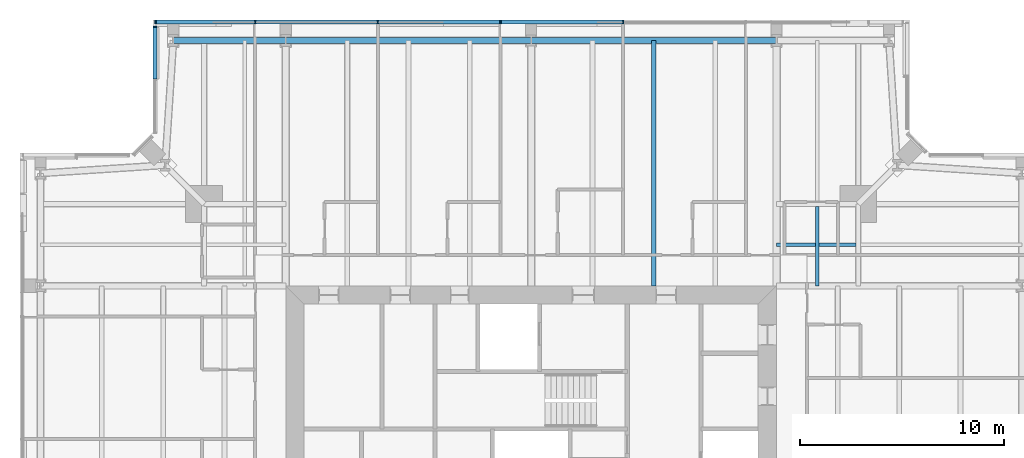
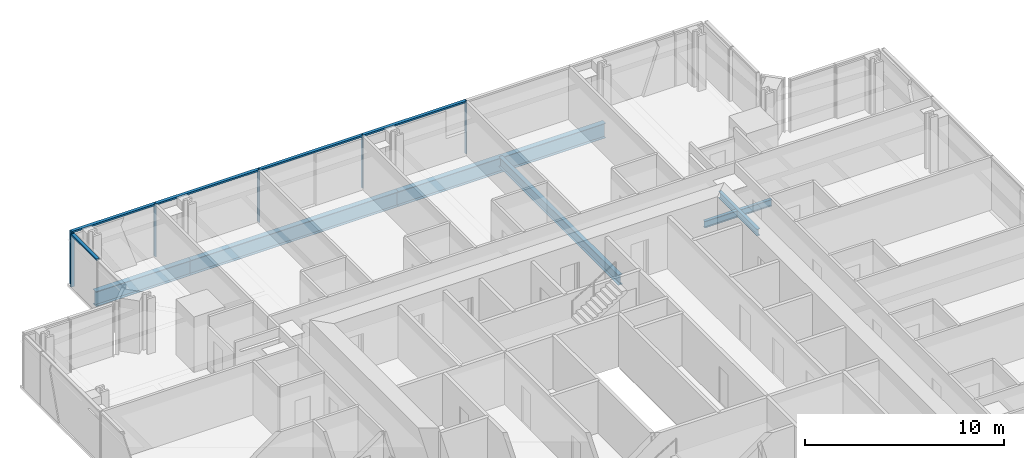
# One storey, part 8 of 20: 11 members, 7 beams, 2 elements without a shape of their own.
"""IFC4 building model written with IfcOpenShell, lengths in metres."""

from ifc_helpers import new_model, si_unit, direction, frame, origin, origin_2d, place, context, subcontext, project, spatial, rectangle, i_section, extrude, material, material_profile, profile_set, type_object, element, aggregate, save


model = new_model("IFC4")

# Units and contexts
model_context = context("Model", 3, precision=1e-05, world=origin(), true_north=direction((0.0, 1.0)))
body_context = subcontext(model_context, "Body", "Model", "MODEL_VIEW")
ifc_project = project(units=[si_unit("LENGTHUNIT", "METRE"), si_unit("AREAUNIT", "SQUARE_METRE"), si_unit("VOLUMEUNIT", "CUBIC_METRE"), si_unit("PLANEANGLEUNIT", "RADIAN"), si_unit("MASSUNIT", "GRAM", prefix="KILO")], contexts=[model_context])

# Site, building, storey
site_placement = place(None, origin())
site = spatial("IfcSite", under=ifc_project, at=site_placement, CompositionType="ELEMENT")
building_placement = place(site_placement, origin())
building = spatial("IfcBuilding", under=site, at=building_placement, Name="Fenwick Lantern Interchange", CompositionType="ELEMENT")
storey_placement = place(building_placement, frame((0.0, 0.0, 252.60009765625)))
storey = spatial("IfcBuildingStorey", under=building, at=storey_placement, Name="L59", CompositionType="ELEMENT", Elevation=252.60009765625)

# Beams
ifc_material_1 = material(Name="Steel ASTM A992 Grade 50", Category="steel")
ifc_material_profile_1 = material_profile(ifc_material_1, i_section(OverallWidth=0.3046875, OverallDepth=0.911865234375, WebThickness=0.015869140625, FlangeThickness=0.02392578125, at=origin_2d()), Name="W36X150")
ifc_profile_set_1 = profile_set([ifc_material_profile_1], Name="Steel ASTM A992 Grade 50")
beam_type_1 = type_object("IfcBeamType", Name="EDGE BEAM W36X150", PredefinedType="SPANDREL", material=ifc_profile_set_1)
for number, where, z_axis, x_axis, name in (
    (1, (37.0, 49.0, -0.60595703125), (-1.0, 0.0, 0.0), (0.0, -1.0, 0.0), "L59/FR/N/EB2"),
    (2, (25.0, 49.0, -0.60595703125), (-1.0, 0.0, 0.0), (0.0, -1.0, 0.0), "L59/FR/N/EB3"),
):
    element("IfcBeam", number, at=place(storey_placement, frame(where, z_axis=z_axis, x_axis=x_axis)), inside=storey, type_object=beam_type_1, Name=name, PredefinedType="SPANDREL", context=body_context, shape_type="SweptSolid", body=[
        extrude(i_section(OverallWidth=0.3046875, OverallDepth=0.911865234375, WebThickness=0.015869140625, FlangeThickness=0.02392578125, at=origin_2d()), origin(), (0.0, 0.0, 1.0), 12.0),
    ])
beam_1_placement = place(storey_placement, frame((13.0, 49.0, -0.60595703125), z_axis=(-1.0, 0.0, 0.0), x_axis=(0.0, -1.0, 0.0)))
element("IfcBeam", 3, at=beam_1_placement, inside=storey, type_object=beam_type_1, Name="L59/FR/N/EB4", PredefinedType="SPANDREL", context=body_context, shape_type="SweptSolid", body=[
    extrude(i_section(OverallWidth=0.3046875, OverallDepth=0.911865234375, WebThickness=0.015869140625, FlangeThickness=0.02392578125, at=origin_2d()), origin(), (0.0, 0.0, 1.0), 5.5),
])
ifc_material_profile_2 = material_profile(ifc_material_1, i_section(OverallWidth=0.22900390625, OverallDepth=0.612060546875, WebThickness=0.011962890625, FlangeThickness=0.01953125, at=origin_2d()), Name="W24X84")
ifc_profile_set_2 = profile_set([ifc_material_profile_2], Name="Steel ASTM A992 Grade 50")
beam_type_2 = type_object("IfcBeamType", Name="FLOOR BEAM W24X84", PredefinedType="BEAM", material=ifc_profile_set_2)
beam_2_placement = place(storey_placement, frame((31.0, 49.0, -0.4560546875), z_axis=(0.0, -1.0, 0.0), x_axis=(1.0, 0.0, 0.0)))
element("IfcBeam", 4, at=beam_2_placement, inside=storey, type_object=beam_type_2, Name="L59/FR/N/R03", PredefinedType="BEAM", context=body_context, shape_type="SweptSolid", body=[
    extrude(i_section(OverallWidth=0.22900390625, OverallDepth=0.612060546875, WebThickness=0.011962890625, FlangeThickness=0.01953125, at=origin_2d()), origin(), (0.0, 0.0, 1.0), 12.0),
])

# Curtain wall, members
ifc_material_2 = material(Name="Aluminium curtain wall frame", Category="aluminium")
curtain_wall_type = type_object("IfcCurtainWallType", Name="HOTEL CURTAIN WALL", PredefinedType="USERDEFINED", material=ifc_material_2)
curtain_wall_1_placement = place(storey_placement, origin())
curtain_wall_1 = element("IfcCurtainWall", 5, at=curtain_wall_1_placement, inside=storey, type_object=curtain_wall_type, Name="Hotel curtain wall 09", ObjectType="HOTEL CURTAIN WALL", PredefinedType="USERDEFINED")
ifc_material_3 = material(Name="Aluminium extrusion", Category="aluminium")
ifc_material_profile_3 = material_profile(ifc_material_3, rectangle(XDim=0.179931640625, YDim=0.06005859375, at=origin_2d()), Name="HOTEL CURTAIN WALL MULLION 60 X 180")
ifc_profile_set_3 = profile_set([ifc_material_profile_3], Name="Aluminium extrusion")
member_type_1 = type_object("IfcMemberType", Name="HOTEL CURTAIN WALL MULLION 60 X 180", PredefinedType="MULLION", material=ifc_profile_set_3)
member_1_placement = place(storey_placement, frame((29.5, 49.89990234375, 0.0), z_axis=(0.0, 0.0, 1.0), x_axis=(0.0, -1.0, 0.0)))
member_1 = element("IfcMember", 6, at=member_1_placement, type_object=member_type_1, Name="L59/CW/09/M03", PredefinedType="MULLION", context=body_context, shape_type="SweptSolid", body=[
    extrude(rectangle(XDim=0.179931640625, YDim=0.06005859375, at=origin_2d()), origin(), (0.0, 0.0, 1.0), 3.25),
])
member_2_placement = place(storey_placement, frame((23.5, 49.89990234375, 0.0), z_axis=(0.0, 0.0, 1.0), x_axis=(0.0, -1.0, 0.0)))
member_2 = element("IfcMember", 7, at=member_2_placement, type_object=member_type_1, Name="L59/CW/09/M04", PredefinedType="MULLION", context=body_context, shape_type="SweptSolid", body=[
    extrude(rectangle(XDim=0.179931640625, YDim=0.06005859375, at=origin_2d()), origin(), (0.0, 0.0, 1.0), 3.25),
])
member_3_placement = place(storey_placement, frame((17.5, 49.89990234375, 0.0), z_axis=(0.0, 0.0, 1.0), x_axis=(0.0, -1.0, 0.0)))
member_3 = element("IfcMember", 8, at=member_3_placement, type_object=member_type_1, Name="L59/CW/09/M05", PredefinedType="MULLION", context=body_context, shape_type="SweptSolid", body=[
    extrude(rectangle(XDim=0.179931640625, YDim=0.06005859375, at=origin_2d()), origin(), (0.0, 0.0, 1.0), 3.25),
])
member_4_placement = place(storey_placement, frame((11.5, 49.89990234375, 0.0), z_axis=(0.0, 0.0, 1.0), x_axis=(0.0, -1.0, 0.0)))
member_4 = element("IfcMember", 9, at=member_4_placement, type_object=member_type_1, Name="L59/CW/09/M06", PredefinedType="MULLION", context=body_context, shape_type="SweptSolid", body=[
    extrude(rectangle(XDim=0.179931640625, YDim=0.06005859375, at=origin_2d()), origin(), (0.0, 0.0, 1.0), 3.25),
])
member_5_placement = place(storey_placement, frame((6.6298828125, 49.89990234375, 0.0), z_axis=(0.0, 0.0, 1.0), x_axis=(0.0, -1.0, 0.0)))
member_5 = element("IfcMember", 10, at=member_5_placement, type_object=member_type_1, Name="L59/CW/09/M07", PredefinedType="MULLION", context=body_context, shape_type="SweptSolid", body=[
    extrude(rectangle(XDim=0.179931640625, YDim=0.06005859375, at=origin_2d()), origin(), (0.0, 0.0, 1.0), 3.25),
])

# Curtain wall, member
curtain_wall_2_placement = place(storey_placement, origin())
curtain_wall_2 = element("IfcCurtainWall", 11, at=curtain_wall_2_placement, inside=storey, type_object=curtain_wall_type, Name="Hotel curtain wall 10", ObjectType="HOTEL CURTAIN WALL", PredefinedType="USERDEFINED")
member_6_placement = place(storey_placement, frame((6.60009765625, 49.669921875, 0.0), z_axis=(0.0, 0.0, 1.0), x_axis=(1.0, 0.0, 0.0)))
member_6 = element("IfcMember", 12, at=member_6_placement, type_object=member_type_1, Name="L59/CW/10/M00", PredefinedType="MULLION", context=body_context, shape_type="SweptSolid", body=[
    extrude(rectangle(XDim=0.179931640625, YDim=0.06005859375, at=origin_2d()), origin(), (0.0, 0.0, 1.0), 3.25),
])

# Member
ifc_material_profile_4 = material_profile(ifc_material_3, rectangle(XDim=0.179931640625, YDim=0.10009765625, at=origin_2d()), Name="HOTEL CURTAIN WALL TRANSOM 100 X 180")
ifc_profile_set_4 = profile_set([ifc_material_profile_4], Name="Aluminium extrusion")
member_type_2 = type_object("IfcMemberType", Name="HOTEL CURTAIN WALL TRANSOM 100 X 180", PredefinedType="MULLION", material=ifc_profile_set_4)
member_7_placement = place(storey_placement, frame((29.469970703125, 49.89990234375, 3.199951171875), z_axis=(-1.0, 0.0, 0.0), x_axis=(0.0, -1.0, 0.0)))
member_7 = element("IfcMember", 13, at=member_7_placement, type_object=member_type_2, Name="L59/CW/09/T03", PredefinedType="MULLION", context=body_context, shape_type="SweptSolid", body=[
    extrude(rectangle(XDim=0.179931640625, YDim=0.10009765625, at=origin_2d()), origin(), (0.0, 0.0, 1.0), 5.93994140625),
])

member_8_placement = place(storey_placement, frame((23.469970703125, 49.89990234375, 3.199951171875), z_axis=(-1.0, 0.0, 0.0), x_axis=(0.0, -1.0, 0.0)))
member_8 = element("IfcMember", 14, at=member_8_placement, type_object=member_type_2, Name="L59/CW/09/T04", PredefinedType="MULLION", context=body_context, shape_type="SweptSolid", body=[
    extrude(rectangle(XDim=0.179931640625, YDim=0.10009765625, at=origin_2d()), origin(), (0.0, 0.0, 1.0), 5.93994140625),
])

member_9_placement = place(storey_placement, frame((17.469970703125, 49.89990234375, 3.199951171875), z_axis=(-1.0, 0.0, 0.0), x_axis=(0.0, -1.0, 0.0)))
member_9 = element("IfcMember", 15, at=member_9_placement, type_object=member_type_2, Name="L59/CW/09/T05", PredefinedType="MULLION", context=body_context, shape_type="SweptSolid", body=[
    extrude(rectangle(XDim=0.179931640625, YDim=0.10009765625, at=origin_2d()), origin(), (0.0, 0.0, 1.0), 5.93994140625),
])

member_10_placement = place(storey_placement, frame((11.469970703125, 49.89990234375, 3.199951171875), z_axis=(-1.0, 0.0, 0.0), x_axis=(0.0, -1.0, 0.0)))
member_10 = element("IfcMember", 16, at=member_10_placement, type_object=member_type_2, Name="L59/CW/09/T06", PredefinedType="MULLION", context=body_context, shape_type="SweptSolid", body=[
    extrude(rectangle(XDim=0.179931640625, YDim=0.10009765625, at=origin_2d()), origin(), (0.0, 0.0, 1.0), 4.81005859375),
])

aggregate(curtain_wall_1, [member_1, member_2, member_3, member_4, member_5, member_7, member_8, member_9, member_10])

member_11_placement = place(storey_placement, frame((6.60009765625, 49.639892578125, 3.199951171875), z_axis=(0.0, -1.0, 0.0), x_axis=(1.0, 0.0, 0.0)))
member_11 = element("IfcMember", 17, at=member_11_placement, type_object=member_type_2, Name="L59/CW/10/T00", PredefinedType="MULLION", context=body_context, shape_type="SweptSolid", body=[
    extrude(rectangle(XDim=0.179931640625, YDim=0.10009765625, at=origin_2d()), origin(), (0.0, 0.0, 1.0), 2.530517578125),
])

aggregate(curtain_wall_2, [member_6, member_11])

# Beams
ifc_material_profile_5 = material_profile(ifc_material_1, i_section(OverallWidth=0.177734375, OverallDepth=0.406494140625, WebThickness=0.0078125, FlangeThickness=0.012939453125, at=origin_2d()), Name="W16X40")
ifc_profile_set_5 = profile_set([ifc_material_profile_5], Name="Steel ASTM A992 Grade 50")
beam_type_3 = type_object("IfcBeamType", Name="INFILL BEAM W16X40", PredefinedType="JOIST", material=ifc_profile_set_5)
beam_3_placement = place(storey_placement, frame((39.0, 40.885498046875, -0.353271484375), z_axis=(0.0, -1.0, 0.0), x_axis=(1.0, 0.0, 0.0)))
element("IfcBeam", 18, at=beam_3_placement, inside=storey, type_object=beam_type_3, Name="L59/FR/N/J2", PredefinedType="JOIST", context=body_context, shape_type="SweptSolid", body=[
    extrude(i_section(OverallWidth=0.177734375, OverallDepth=0.406494140625, WebThickness=0.0078125, FlangeThickness=0.012939453125, at=origin_2d()), origin(), (0.0, 0.0, 1.0), 3.885498046875),
])
beam_4_placement = place(storey_placement, frame((40.885498046875, 39.0, -0.353271484375), z_axis=(-1.0, 0.0, 0.0), x_axis=(0.0, -1.0, 0.0)))
element("IfcBeam", 19, at=beam_4_placement, inside=storey, type_object=beam_type_3, Name="L59/FR/N/J4", PredefinedType="JOIST", context=body_context, shape_type="SweptSolid", body=[
    extrude(i_section(OverallWidth=0.177734375, OverallDepth=0.406494140625, WebThickness=0.0078125, FlangeThickness=0.012939453125, at=origin_2d()), origin(), (0.0, 0.0, 1.0), 1.796630859375),
])
beam_5_placement = place(storey_placement, frame((38.9111328125, 39.0, -0.353271484375), z_axis=(-1.0, 0.0, 0.0), x_axis=(0.0, -1.0, 0.0)))
element("IfcBeam", 20, at=beam_5_placement, inside=storey, type_object=beam_type_3, Name="L59/FR/N/J5", PredefinedType="JOIST", context=body_context, shape_type="SweptSolid", body=[
    extrude(i_section(OverallWidth=0.177734375, OverallDepth=0.406494140625, WebThickness=0.0078125, FlangeThickness=0.012939453125, at=origin_2d()), origin(), (0.0, 0.0, 1.0), 1.9111328125),
])

save(model, "model.ifc")
